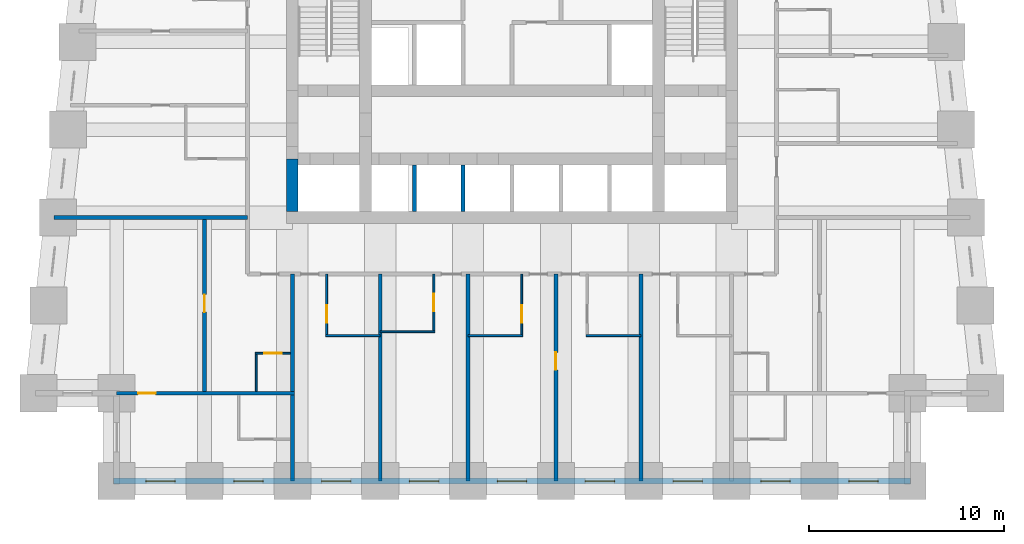
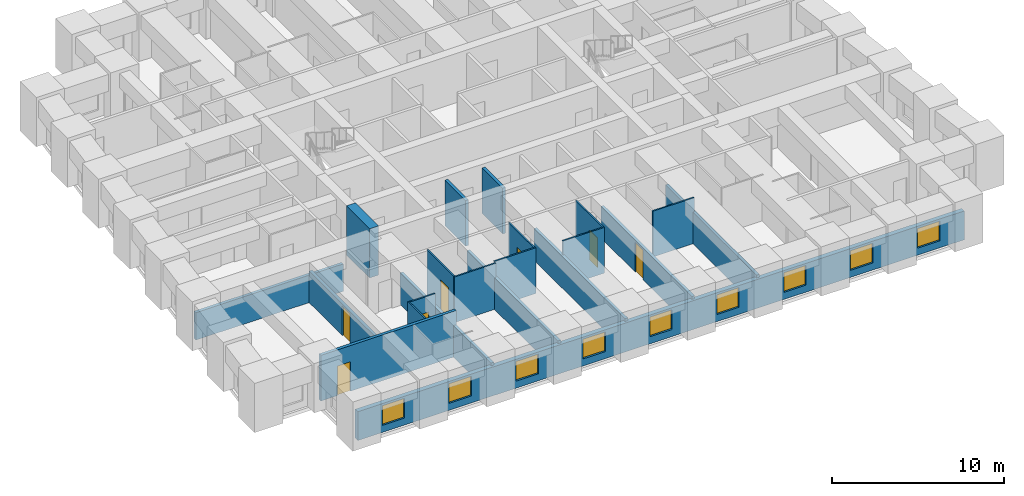
# One storey, part 2 of 8: 21 walls, 9 windows, 7 doors, 16 openings.
"""IFC4 building model written with IfcOpenShell, lengths in metres."""

from ifc_helpers import new_model, si_unit, direction, frame, frame_2d, origin, place, context, subcontext, project, spatial, rectangle, extrude, material, layer, layer_set, type_object, element, fill, save


model = new_model("IFC4")

# Units and contexts
model_context = context("Model", 3, precision=1e-05, world=origin(), true_north=direction((0.0, 1.0)))
body_context = subcontext(model_context, "Body", "Model", "MODEL_VIEW")
ifc_project = project(units=[si_unit("LENGTHUNIT", "METRE"), si_unit("AREAUNIT", "SQUARE_METRE"), si_unit("VOLUMEUNIT", "CUBIC_METRE"), si_unit("PLANEANGLEUNIT", "RADIAN"), si_unit("MASSUNIT", "GRAM", prefix="KILO")], contexts=[model_context])

# Site, building, storey
site_placement = place(None, origin())
site = spatial("IfcSite", under=ifc_project, at=site_placement, CompositionType="ELEMENT")
building_placement = place(site_placement, origin())
building = spatial("IfcBuilding", under=site, at=building_placement, Name="Kilele Tower Hotel", CompositionType="ELEMENT")
storey_placement = place(building_placement, frame((0.0, 0.0, 68.199951171875)))
storey = spatial("IfcBuildingStorey", under=building, at=storey_placement, Name="L16", CompositionType="ELEMENT", Elevation=68.199951171875)

# Wall
ifc_material_1 = material(Name="Moisture-resistant board")
ifc_layer_1 = layer(ifc_material_1, 0.10009765625)
ifc_layer_set_1 = layer_set([ifc_layer_1], Name="Moisture-resistant board")
wall_type_1 = type_object("IfcWallType", Name="Bathroom partition 100", PredefinedType="PLUMBINGWALL", material=ifc_layer_set_1)
wall_1_placement = place(storey_placement, frame((15.199951171875, 7.449951171875, 0.0), z_axis=(0.0, 0.0, 1.0), x_axis=(1.0, 0.0, 0.0)))
element("IfcWall", 1, at=wall_1_placement, inside=storey, type_object=wall_type_1, Name="Bathroom partition 100 L16", PredefinedType="PLUMBINGWALL", context=body_context, shape_type="SweptSolid", body=[
    extrude(rectangle(XDim=2.800048828125, YDim=0.10009765625, at=frame_2d((1.39990234375, 0.0))), origin(), (0.0, 0.0, 1.0), 3.25),
])

# Wall, opening, door
wall_2_placement = place(storey_placement, frame((15.25, 10.60009765625, 0.0), z_axis=(0.0, 0.0, 1.0), x_axis=(0.0, -1.0, 0.0)))
wall_2 = element("IfcWall", 2, at=wall_2_placement, inside=storey, type_object=wall_type_1, Name="Bathroom partition 100 L16", PredefinedType="PLUMBINGWALL", context=body_context, shape_type="SweptSolid", body=[
    extrude(rectangle(XDim=3.2001953125, YDim=0.10009765625, at=frame_2d((1.60009765625, 0.0))), origin(), (0.0, 0.0, 1.0), 3.25),
])
opening_1_placement = place(wall_2_placement, frame((2.5, 0.0, 0.0), z_axis=(0.0, 0.0, 1.0), x_axis=(-1.0, 0.0, 0.0)))
opening_1 = element("IfcOpeningElement", 3, at=opening_1_placement, cuts=wall_2, Name="Opening D2A", PredefinedType="OPENING", context=body_context, shape_type="SweptSolid", body=[
    extrude(rectangle(XDim=0.89990234375, YDim=2.10009765625, at=frame_2d((0.449951171875, 1.050048828125))), frame((0.0, 0.06005859375, 0.0), z_axis=(0.0, -1.0, 0.0), x_axis=(1.0, 0.0, 0.0)), (0.0, 0.0, 1.0), 0.1201171875),
])
ifc_material_2 = material(Name="Timber door leaf in hardwood frame", Category="wood")
door_type_1 = type_object("IfcDoorType", Name="Bathroom door 900", OperationType="SINGLE_SWING_LEFT", PredefinedType="DOOR", material=ifc_material_2)
door_1_placement = place(opening_1_placement, origin())
door_1 = element("IfcDoor", 4, at=door_1_placement, inside=storey, type_object=door_type_1, Name="Bathroom door 1601B", OperationType="SINGLE_SWING_LEFT", OverallHeight=2.10009765625, OverallWidth=0.89990234375, PredefinedType="DOOR", context=body_context, shape_type="SweptSolid", body=[
    extrude(rectangle(XDim=0.89990234375, YDim=2.10009765625, at=frame_2d((0.449951171875, 1.050048828125))), frame((0.0, 0.02490234375, 0.0), z_axis=(0.0, -1.0, 0.0), x_axis=(1.0, 0.0, 0.0)), (0.0, 0.0, 1.0), 0.050048828125),
])
fill(opening_1, door_1)

# Wall
wall_3_placement = place(storey_placement, frame((18.0, 7.64990234375, 0.0), z_axis=(0.0, 0.0, 1.0), x_axis=(1.0, 0.0, 0.0)))
element("IfcWall", 5, at=wall_3_placement, inside=storey, type_object=wall_type_1, Name="Bathroom partition 100 L16", PredefinedType="PLUMBINGWALL", context=body_context, shape_type="SweptSolid", body=[
    extrude(rectangle(XDim=2.800048828125, YDim=0.10009765625, at=frame_2d((1.39990234375, 0.0))), origin(), (0.0, 0.0, 1.0), 3.25),
])

# Wall, opening, door
wall_4_placement = place(storey_placement, frame((20.75, 10.60009765625, 0.0), z_axis=(0.0, 0.0, 1.0), x_axis=(0.0, -1.0, 0.0)))
wall_4 = element("IfcWall", 6, at=wall_4_placement, inside=storey, type_object=wall_type_1, Name="Bathroom partition 100 L16", PredefinedType="PLUMBINGWALL", context=body_context, shape_type="SweptSolid", body=[
    extrude(rectangle(XDim=3.0, YDim=0.10009765625, at=frame_2d((1.5, 0.0))), origin(), (0.0, 0.0, 1.0), 3.25),
])
opening_2_placement = place(wall_4_placement, frame((1.0, 0.0, 0.0)))
opening_2 = element("IfcOpeningElement", 7, at=opening_2_placement, cuts=wall_4, Name="Opening D2A", PredefinedType="OPENING", context=body_context, shape_type="SweptSolid", body=[
    extrude(rectangle(XDim=0.89990234375, YDim=2.10009765625, at=frame_2d((0.449951171875, 1.050048828125))), frame((0.0, 0.06005859375, 0.0), z_axis=(0.0, -1.0, 0.0), x_axis=(1.0, 0.0, 0.0)), (0.0, 0.0, 1.0), 0.1201171875),
])
door_2_placement = place(opening_2_placement, origin())
door_2 = element("IfcDoor", 8, at=door_2_placement, inside=storey, type_object=door_type_1, Name="Bathroom door 1602B", OperationType="SINGLE_SWING_LEFT", OverallHeight=2.10009765625, OverallWidth=0.89990234375, PredefinedType="DOOR", context=body_context, shape_type="SweptSolid", body=[
    extrude(rectangle(XDim=0.89990234375, YDim=2.10009765625, at=frame_2d((0.449951171875, 1.050048828125))), frame((0.0, 0.02490234375, 0.0), z_axis=(0.0, -1.0, 0.0), x_axis=(1.0, 0.0, 0.0)), (0.0, 0.0, 1.0), 0.050048828125),
])
fill(opening_2, door_2)

# Wall
wall_5_placement = place(storey_placement, frame((22.5, 7.449951171875, 0.0), z_axis=(0.0, 0.0, 1.0), x_axis=(1.0, 0.0, 0.0)))
element("IfcWall", 9, at=wall_5_placement, inside=storey, type_object=wall_type_1, Name="Bathroom partition 100 L16", PredefinedType="PLUMBINGWALL", context=body_context, shape_type="SweptSolid", body=[
    extrude(rectangle(XDim=2.800048828125, YDim=0.10009765625, at=frame_2d((1.39990234375, 0.0))), origin(), (0.0, 0.0, 1.0), 3.25),
])

# Wall, opening, door
wall_6_placement = place(storey_placement, frame((25.25, 10.60009765625, 0.0), z_axis=(0.0, 0.0, 1.0), x_axis=(0.0, -1.0, 0.0)))
wall_6 = element("IfcWall", 10, at=wall_6_placement, inside=storey, type_object=wall_type_1, Name="Bathroom partition 100 L16", PredefinedType="PLUMBINGWALL", context=body_context, shape_type="SweptSolid", body=[
    extrude(rectangle(XDim=3.2001953125, YDim=0.10009765625, at=frame_2d((1.60009765625, 0.0))), origin(), (0.0, 0.0, 1.0), 3.25),
])
opening_3_placement = place(wall_6_placement, frame((1.60009765625, 0.0, 0.0)))
opening_3 = element("IfcOpeningElement", 11, at=opening_3_placement, cuts=wall_6, Name="Opening D2A", PredefinedType="OPENING", context=body_context, shape_type="SweptSolid", body=[
    extrude(rectangle(XDim=0.89990234375, YDim=2.10009765625, at=frame_2d((0.449951171875, 1.050048828125))), frame((0.0, 0.06005859375, 0.0), z_axis=(0.0, -1.0, 0.0), x_axis=(1.0, 0.0, 0.0)), (0.0, 0.0, 1.0), 0.1201171875),
])
door_3_placement = place(opening_3_placement, origin())
door_3 = element("IfcDoor", 12, at=door_3_placement, inside=storey, type_object=door_type_1, Name="Bathroom door 1603B", OperationType="SINGLE_SWING_RIGHT", OverallHeight=2.10009765625, OverallWidth=0.89990234375, PredefinedType="DOOR", context=body_context, shape_type="SweptSolid", body=[
    extrude(rectangle(XDim=0.89990234375, YDim=2.10009765625, at=frame_2d((0.449951171875, 1.050048828125))), frame((0.0, 0.02490234375, 0.0), z_axis=(0.0, -1.0, 0.0), x_axis=(1.0, 0.0, 0.0)), (0.0, 0.0, 1.0), 0.050048828125),
])
fill(opening_3, door_3)

# Walls
wall_7_placement = place(storey_placement, frame((28.550048828125, 7.449951171875, 0.0), z_axis=(0.0, 0.0, 1.0), x_axis=(1.0, 0.0, 0.0)))
element("IfcWall", 13, at=wall_7_placement, inside=storey, type_object=wall_type_1, Name="Bathroom partition 100 L16", PredefinedType="PLUMBINGWALL", context=body_context, shape_type="SweptSolid", body=[
    extrude(rectangle(XDim=2.800048828125, YDim=0.10009765625, at=frame_2d((1.39990234375, 0.0))), origin(), (0.0, 0.0, 1.0), 3.25),
])
wall_8_placement = place(storey_placement, frame((11.64990234375, 4.60009765625, 0.0), z_axis=(0.0, 0.0, 1.0), x_axis=(0.0, 1.0, 0.0)))
element("IfcWall", 14, at=wall_8_placement, inside=storey, type_object=wall_type_1, Name="Bathroom partition 100 L16", PredefinedType="PLUMBINGWALL", context=body_context, shape_type="SweptSolid", body=[
    extrude(rectangle(XDim=2.0, YDim=0.10009765625, at=frame_2d((1.0, 0.0))), origin(), (0.0, 0.0, 1.0), 3.25),
])

# Wall, opening, door
wall_9_placement = place(storey_placement, frame((13.39990234375, 6.550048828125, 0.0), z_axis=(0.0, 0.0, 1.0), x_axis=(-1.0, 0.0, 0.0)))
wall_9 = element("IfcWall", 15, at=wall_9_placement, inside=storey, type_object=wall_type_1, Name="Bathroom partition 100 L16", PredefinedType="PLUMBINGWALL", context=body_context, shape_type="SweptSolid", body=[
    extrude(rectangle(XDim=1.7998046875, YDim=0.10009765625, at=frame_2d((0.89990234375, 0.0))), origin(), (0.0, 0.0, 1.0), 3.25),
])
opening_4_placement = place(wall_9_placement, frame((1.349853515625, 0.0, 0.0), z_axis=(0.0, 0.0, 1.0), x_axis=(-1.0, 0.0, 0.0)))
opening_4 = element("IfcOpeningElement", 16, at=opening_4_placement, cuts=wall_9, Name="Opening D2A", PredefinedType="OPENING", context=body_context, shape_type="SweptSolid", body=[
    extrude(rectangle(XDim=0.89990234375, YDim=2.10009765625, at=frame_2d((0.449951171875, 1.050048828125))), frame((0.0, 0.06005859375, 0.0), z_axis=(0.0, -1.0, 0.0), x_axis=(1.0, 0.0, 0.0)), (0.0, 0.0, 1.0), 0.1201171875),
])
door_4_placement = place(opening_4_placement, origin())
door_4 = element("IfcDoor", 17, at=door_4_placement, inside=storey, type_object=door_type_1, Name="Bathroom door 1617P", OperationType="SINGLE_SWING_RIGHT", OverallHeight=2.10009765625, OverallWidth=0.89990234375, PredefinedType="DOOR", context=body_context, shape_type="SweptSolid", body=[
    extrude(rectangle(XDim=0.89990234375, YDim=2.10009765625, at=frame_2d((0.449951171875, 1.050048828125))), frame((0.0, 0.02490234375, 0.0), z_axis=(0.0, -1.0, 0.0), x_axis=(1.0, 0.0, 0.0)), (0.0, 0.0, 1.0), 0.050048828125),
])
fill(opening_4, door_4)

# Wall
ifc_material_3 = material(Name="Concrete C60/75", Category="concrete")
ifc_layer_2 = layer(ifc_material_3, 0.60009765625)
ifc_layer_set_2 = layer_set([ifc_layer_2], Name="Concrete C60/75")
wall_type_2 = type_object("IfcWallType", Name="Core wall 600 C60/75", PredefinedType="SHEAR", material=ifc_layer_set_2)
wall_10_placement = place(storey_placement, frame((13.5, 16.5, 0.0), z_axis=(0.0, 0.0, 1.0), x_axis=(0.0, -1.0, 0.0)))
element("IfcWall", 18, at=wall_10_placement, inside=storey, type_object=wall_type_2, Name="Core wall W3 L16", PredefinedType="SHEAR", context=body_context, shape_type="SweptSolid", body=[
    extrude(rectangle(XDim=2.699951171875, YDim=0.60009765625, at=frame_2d((1.35009765625, 0.0))), origin(), (0.0, 0.0, 1.0), 3.5),
])

# Wall, opening, door
ifc_material_4 = material(Name="Blockwork, plastered both sides", Category="masonry")
ifc_layer_3 = layer(ifc_material_4, 0.199951171875)
ifc_layer_set_3 = layer_set([ifc_layer_3], Name="Blockwork, plastered both sides")
wall_type_3 = type_object("IfcWallType", Name="Partition wall 200", PredefinedType="PARTITIONING", material=ifc_layer_set_3)
wall_11_placement = place(storey_placement, frame((9.0, 4.60009765625, 0.0), z_axis=(0.0, 0.0, 1.0), x_axis=(0.0, 1.0, 0.0)))
wall_11 = element("IfcWall", 19, at=wall_11_placement, inside=storey, type_object=wall_type_3, Name="Partition wall 200 L16", PredefinedType="PARTITIONING", context=body_context, shape_type="SweptSolid", body=[
    extrude(rectangle(XDim=8.7998046875, YDim=0.199951171875, at=frame_2d((4.39990234375, 0.0))), origin(), (0.0, 0.0, 1.0), 2.25),
])
opening_5_placement = place(wall_11_placement, frame((4.050048828125, 0.0, 0.0)))
opening_5 = element("IfcOpeningElement", 20, at=opening_5_placement, cuts=wall_11, Name="Opening D3", PredefinedType="OPENING", context=body_context, shape_type="SweptSolid", body=[
    extrude(rectangle(XDim=0.89990234375, YDim=2.10009765625, at=frame_2d((0.449951171875, 1.050048828125))), frame((0.0, 0.10986328125, 0.0), z_axis=(0.0, -1.0, 0.0), x_axis=(1.0, 0.0, 0.0)), (0.0, 0.0, 1.0), 0.219970703125),
])
ifc_material_5 = material(Name="Timber door leaf in hardwood frame", Category="wood")
door_type_2 = type_object("IfcDoorType", Name="Suite internal door 900", OperationType="SINGLE_SWING_LEFT", PredefinedType="DOOR", material=ifc_material_5)
door_5_placement = place(opening_5_placement, origin())
door_5 = element("IfcDoor", 21, at=door_5_placement, inside=storey, type_object=door_type_2, Name="Suite door 1618", OperationType="SINGLE_SWING_RIGHT", OverallHeight=2.10009765625, OverallWidth=0.89990234375, PredefinedType="DOOR", context=body_context, shape_type="SweptSolid", body=[
    extrude(rectangle(XDim=0.89990234375, YDim=2.10009765625, at=frame_2d((0.449951171875, 1.050048828125))), frame((0.0, 0.02490234375, 0.0), z_axis=(0.0, -1.0, 0.0), x_axis=(1.0, 0.0, 0.0)), (0.0, 0.0, 1.0), 0.050048828125),
])
fill(opening_5, door_5)

# Walls
ifc_material_6 = material(Name="Blockwork, plastered both sides", Category="masonry")
ifc_layer_4 = layer(ifc_material_6, 0.199951171875)
ifc_layer_set_4 = layer_set([ifc_layer_4], Name="Blockwork, plastered both sides")
wall_type_4 = type_object("IfcWallType", Name="Party wall 200", PredefinedType="PARTITIONING", material=ifc_layer_set_4)
for number, where, z_axis, x_axis, name in (
    (22, (18.0, 10.60009765625, 0.0), (0.0, 0.0, 1.0), (0.0, -1.0, 0.0), "Party wall 200 L16"),
    (23, (22.5, 10.60009765625, 0.0), (0.0, 0.0, 1.0), (0.0, -1.0, 0.0), "Party wall 200 L16"),
):
    element("IfcWall", number, at=place(storey_placement, frame(where, z_axis=z_axis, x_axis=x_axis)), inside=storey, type_object=wall_type_4, Name=name, PredefinedType="PARTITIONING", context=body_context, shape_type="SweptSolid", body=[
        extrude(rectangle(XDim=10.60009765625, YDim=0.199951171875, at=frame_2d((5.300048828125, 0.0))), origin(), (0.0, 0.0, 1.0), 2.25),
    ])

# Wall, opening, door
wall_12_placement = place(storey_placement, frame((27.0, 10.60009765625, 0.0), z_axis=(0.0, 0.0, 1.0), x_axis=(0.0, -1.0, 0.0)))
wall_12 = element("IfcWall", 24, at=wall_12_placement, inside=storey, type_object=wall_type_4, Name="Party wall 200 L16", PredefinedType="PARTITIONING", context=body_context, shape_type="SweptSolid", body=[
    extrude(rectangle(XDim=10.60009765625, YDim=0.199951171875, at=frame_2d((5.300048828125, 0.0))), origin(), (0.0, 0.0, 1.0), 2.25),
])
opening_6_placement = place(wall_12_placement, frame((4.0, 0.0, 0.0)))
opening_6 = element("IfcOpeningElement", 25, at=opening_6_placement, cuts=wall_12, Name="Opening D3C", PredefinedType="OPENING", context=body_context, shape_type="SweptSolid", body=[
    extrude(rectangle(XDim=0.89990234375, YDim=2.10009765625, at=frame_2d((0.449951171875, 1.050048828125))), frame((0.0, 0.10986328125, 0.0), z_axis=(0.0, -1.0, 0.0), x_axis=(1.0, 0.0, 0.0)), (0.0, 0.0, 1.0), 0.219970703125),
])
ifc_material_7 = material(Name="Timber door leaf in hardwood frame", Category="wood")
door_type_3 = type_object("IfcDoorType", Name="Connecting door 900", OperationType="SINGLE_SWING_LEFT", PredefinedType="DOOR", material=ifc_material_7)
door_6_placement = place(opening_6_placement, origin())
door_6 = element("IfcDoor", 26, at=door_6_placement, inside=storey, type_object=door_type_3, Name="Connecting door 1604", OperationType="SINGLE_SWING_LEFT", OverallHeight=2.10009765625, OverallWidth=0.89990234375, PredefinedType="DOOR", context=body_context, shape_type="SweptSolid", body=[
    extrude(rectangle(XDim=0.89990234375, YDim=2.10009765625, at=frame_2d((0.449951171875, 1.050048828125))), frame((0.0, 0.02490234375, 0.0), z_axis=(0.0, -1.0, 0.0), x_axis=(1.0, 0.0, 0.0)), (0.0, 0.0, 1.0), 0.050048828125),
])
fill(opening_6, door_6)

# Walls
wall_13_placement = place(storey_placement, frame((31.35009765625, 10.60009765625, 0.0), z_axis=(0.0, 0.0, 1.0), x_axis=(0.0, -1.0, 0.0)))
element("IfcWall", 27, at=wall_13_placement, inside=storey, type_object=wall_type_4, Name="Party wall 200 L16", PredefinedType="PARTITIONING", context=body_context, shape_type="SweptSolid", body=[
    extrude(rectangle(XDim=10.60009765625, YDim=0.199951171875, at=frame_2d((5.300048828125, 0.0))), origin(), (0.0, 0.0, 1.0), 2.25),
])
wall_14_placement = place(storey_placement, frame((11.199951171875, 13.5, 0.0), z_axis=(0.0, 0.0, 1.0), x_axis=(-1.0, 0.0, 0.0)))
element("IfcWall", 28, at=wall_14_placement, inside=storey, type_object=wall_type_4, Name="Party wall 200 L16", PredefinedType="PARTITIONING", context=body_context, shape_type="SweptSolid", body=[
    extrude(rectangle(XDim=9.921142578125, YDim=0.199951171875, at=frame_2d((4.96044921875, 0.0))), origin(), (0.0, 0.0, 1.0), 1.949951171875),
])
wall_15_placement = place(storey_placement, frame((13.5, 10.60009765625, 0.0), z_axis=(0.0, 0.0, 1.0), x_axis=(0.0, -1.0, 0.0)))
element("IfcWall", 29, at=wall_15_placement, inside=storey, type_object=wall_type_4, Name="Party wall 200 L16", PredefinedType="PARTITIONING", context=body_context, shape_type="SweptSolid", body=[
    extrude(rectangle(XDim=10.60009765625, YDim=0.199951171875, at=frame_2d((5.300048828125, 0.0))), origin(), (0.0, 0.0, 1.0), 2.25),
])

# Wall, opening, door
wall_16_placement = place(storey_placement, frame((13.60009765625, 4.5, 0.0), z_axis=(0.0, 0.0, 1.0), x_axis=(-1.0, 0.0, 0.0)))
wall_16 = element("IfcWall", 30, at=wall_16_placement, inside=storey, type_object=wall_type_4, Name="Party wall 200 L16", PredefinedType="PARTITIONING", context=body_context, shape_type="SweptSolid", body=[
    extrude(rectangle(XDim=9.10009765625, YDim=0.199951171875, at=frame_2d((4.550048828125, 0.0))), origin(), (0.0, 0.0, 1.0), 3.25),
])
opening_7_placement = place(wall_16_placement, frame((7.10009765625, 0.0, 0.0)))
opening_7 = element("IfcOpeningElement", 31, at=opening_7_placement, cuts=wall_16, Name="Opening D3", PredefinedType="OPENING", context=body_context, shape_type="SweptSolid", body=[
    extrude(rectangle(XDim=0.89990234375, YDim=2.10009765625, at=frame_2d((0.449951171875, 1.050048828125))), frame((0.0, 0.10986328125, 0.0), z_axis=(0.0, -1.0, 0.0), x_axis=(1.0, 0.0, 0.0)), (0.0, 0.0, 1.0), 0.219970703125),
])
door_7_placement = place(opening_7_placement, origin())
door_7 = element("IfcDoor", 32, at=door_7_placement, inside=storey, type_object=door_type_2, Name="Suite door 1619", OperationType="SINGLE_SWING_RIGHT", OverallHeight=2.10009765625, OverallWidth=0.89990234375, PredefinedType="DOOR", context=body_context, shape_type="SweptSolid", body=[
    extrude(rectangle(XDim=0.89990234375, YDim=2.10009765625, at=frame_2d((0.449951171875, 1.050048828125))), frame((0.0, 0.02490234375, 0.0), z_axis=(0.0, -1.0, 0.0), x_axis=(1.0, 0.0, 0.0)), (0.0, 0.0, 1.0), 0.050048828125),
])
fill(opening_7, door_7)

# Wall, openings, windows
ifc_material_8 = material(Name="Concrete C40/50 precast", Category="concrete")
ifc_layer_5 = layer(ifc_material_8, 0.260009765625, Name="Precast backing", Category="LoadBearing")
ifc_material_9 = material(Name="Reconstituted stone finish", Category="masonry")
ifc_layer_6 = layer(ifc_material_9, 0.0400390625, Name="Face mix", Category="Finish")
ifc_layer_set_5 = layer_set([ifc_layer_5, ifc_layer_6], Name="Precast concrete C40/50, reconstituted stone finish")
wall_type_5 = type_object("IfcWallType", Name="Precast stone facade wall 300", PredefinedType="STANDARD", material=ifc_layer_set_5)
wall_17_placement = place(storey_placement, frame((4.35009765625, 0.0, 0.0), z_axis=(0.0, 0.0, 1.0), x_axis=(1.0, 0.0, 0.0)))
wall_17 = element("IfcWall", 33, at=wall_17_placement, inside=storey, type_object=wall_type_5, Name="Facade wall L16 edge 3", PredefinedType="STANDARD", context=body_context, shape_type="SweptSolid", body=[
    extrude(rectangle(XDim=40.7998046875, YDim=0.300048828125, at=frame_2d((20.39990234375, 0.0))), origin(), (0.0, 0.0, 1.0), 2.050048828125),
])
opening_8_placement = place(wall_17_placement, frame((1.64990234375, 0.0, 0.5)))
opening_8 = element("IfcOpeningElement", 34, at=opening_8_placement, cuts=wall_17, Name="Opening W1", PredefinedType="OPENING", context=body_context, shape_type="SweptSolid", body=[
    extrude(rectangle(XDim=1.5, YDim=1.39990234375, at=frame_2d((0.75, 0.699951171875))), frame((0.0, 0.159912109375, 0.0), z_axis=(0.0, -1.0, 0.0), x_axis=(1.0, 0.0, 0.0)), (0.0, 0.0, 1.0), 0.320068359375),
])
opening_9_placement = place(wall_17_placement, frame((6.14990234375, 0.0, 0.5)))
opening_9 = element("IfcOpeningElement", 35, at=opening_9_placement, cuts=wall_17, Name="Opening W1", PredefinedType="OPENING", context=body_context, shape_type="SweptSolid", body=[
    extrude(rectangle(XDim=1.5, YDim=1.39990234375, at=frame_2d((0.75, 0.699951171875))), frame((0.0, 0.159912109375, 0.0), z_axis=(0.0, -1.0, 0.0), x_axis=(1.0, 0.0, 0.0)), (0.0, 0.0, 1.0), 0.320068359375),
])
opening_10_placement = place(wall_17_placement, frame((10.64990234375, 0.0, 0.5)))
opening_10 = element("IfcOpeningElement", 36, at=opening_10_placement, cuts=wall_17, Name="Opening W1", PredefinedType="OPENING", context=body_context, shape_type="SweptSolid", body=[
    extrude(rectangle(XDim=1.5, YDim=1.39990234375, at=frame_2d((0.75, 0.699951171875))), frame((0.0, 0.159912109375, 0.0), z_axis=(0.0, -1.0, 0.0), x_axis=(1.0, 0.0, 0.0)), (0.0, 0.0, 1.0), 0.320068359375),
])
opening_11_placement = place(wall_17_placement, frame((15.14990234375, 0.0, 0.5)))
opening_11 = element("IfcOpeningElement", 37, at=opening_11_placement, cuts=wall_17, Name="Opening W1", PredefinedType="OPENING", context=body_context, shape_type="SweptSolid", body=[
    extrude(rectangle(XDim=1.5, YDim=1.39990234375, at=frame_2d((0.75, 0.699951171875))), frame((0.0, 0.159912109375, 0.0), z_axis=(0.0, -1.0, 0.0), x_axis=(1.0, 0.0, 0.0)), (0.0, 0.0, 1.0), 0.320068359375),
])
opening_12_placement = place(wall_17_placement, frame((19.64990234375, 0.0, 0.5)))
opening_12 = element("IfcOpeningElement", 38, at=opening_12_placement, cuts=wall_17, Name="Opening W1", PredefinedType="OPENING", context=body_context, shape_type="SweptSolid", body=[
    extrude(rectangle(XDim=1.5, YDim=1.39990234375, at=frame_2d((0.75, 0.699951171875))), frame((0.0, 0.159912109375, 0.0), z_axis=(0.0, -1.0, 0.0), x_axis=(1.0, 0.0, 0.0)), (0.0, 0.0, 1.0), 0.320068359375),
])
opening_13_placement = place(wall_17_placement, frame((24.14990234375, 0.0, 0.5)))
opening_13 = element("IfcOpeningElement", 39, at=opening_13_placement, cuts=wall_17, Name="Opening W1", PredefinedType="OPENING", context=body_context, shape_type="SweptSolid", body=[
    extrude(rectangle(XDim=1.5, YDim=1.39990234375, at=frame_2d((0.75, 0.699951171875))), frame((0.0, 0.159912109375, 0.0), z_axis=(0.0, -1.0, 0.0), x_axis=(1.0, 0.0, 0.0)), (0.0, 0.0, 1.0), 0.320068359375),
])
opening_14_placement = place(wall_17_placement, frame((28.64990234375, 0.0, 0.5)))
opening_14 = element("IfcOpeningElement", 40, at=opening_14_placement, cuts=wall_17, Name="Opening W1", PredefinedType="OPENING", context=body_context, shape_type="SweptSolid", body=[
    extrude(rectangle(XDim=1.5, YDim=1.39990234375, at=frame_2d((0.75, 0.699951171875))), frame((0.0, 0.159912109375, 0.0), z_axis=(0.0, -1.0, 0.0), x_axis=(1.0, 0.0, 0.0)), (0.0, 0.0, 1.0), 0.320068359375),
])
opening_15_placement = place(wall_17_placement, frame((33.14990234375, 0.0, 0.5)))
opening_15 = element("IfcOpeningElement", 41, at=opening_15_placement, cuts=wall_17, Name="Opening W1", PredefinedType="OPENING", context=body_context, shape_type="SweptSolid", body=[
    extrude(rectangle(XDim=1.5, YDim=1.39990234375, at=frame_2d((0.75, 0.699951171875))), frame((0.0, 0.159912109375, 0.0), z_axis=(0.0, -1.0, 0.0), x_axis=(1.0, 0.0, 0.0)), (0.0, 0.0, 1.0), 0.320068359375),
])
opening_16_placement = place(wall_17_placement, frame((37.64990234375, 0.0, 0.5)))
opening_16 = element("IfcOpeningElement", 42, at=opening_16_placement, cuts=wall_17, Name="Opening W1", PredefinedType="OPENING", context=body_context, shape_type="SweptSolid", body=[
    extrude(rectangle(XDim=1.5, YDim=1.39990234375, at=frame_2d((0.75, 0.699951171875))), frame((0.0, 0.159912109375, 0.0), z_axis=(0.0, -1.0, 0.0), x_axis=(1.0, 0.0, 0.0)), (0.0, 0.0, 1.0), 0.320068359375),
])
ifc_material_10 = material(Name="Aluminium frame, clear double glazing", Category="aluminium")
window_type = type_object("IfcWindowType", Name="Window W1 1500 x 1400", PartitioningType="SINGLE_PANEL", PredefinedType="WINDOW", material=ifc_material_10)
window_1_placement = place(opening_8_placement, origin())
window_1 = element("IfcWindow", 43, at=window_1_placement, inside=storey, type_object=window_type, Name="Window L16", OverallHeight=1.39990234375, OverallWidth=1.5, PartitioningType="SINGLE_PANEL", PredefinedType="WINDOW", context=body_context, shape_type="SweptSolid", body=[
    extrude(rectangle(XDim=1.5, YDim=1.39990234375, at=frame_2d((0.75, 0.699951171875))), frame((0.0, 0.030029296875, 0.0), z_axis=(0.0, -1.0, 0.0), x_axis=(1.0, 0.0, 0.0)), (0.0, 0.0, 1.0), 0.06005859375),
])
fill(opening_8, window_1)
window_2_placement = place(opening_9_placement, origin())
window_2 = element("IfcWindow", 44, at=window_2_placement, inside=storey, type_object=window_type, Name="Window L16", OverallHeight=1.39990234375, OverallWidth=1.5, PartitioningType="SINGLE_PANEL", PredefinedType="WINDOW", context=body_context, shape_type="SweptSolid", body=[
    extrude(rectangle(XDim=1.5, YDim=1.39990234375, at=frame_2d((0.75, 0.699951171875))), frame((0.0, 0.030029296875, 0.0), z_axis=(0.0, -1.0, 0.0), x_axis=(1.0, 0.0, 0.0)), (0.0, 0.0, 1.0), 0.06005859375),
])
fill(opening_9, window_2)
window_3_placement = place(opening_10_placement, origin())
window_3 = element("IfcWindow", 45, at=window_3_placement, inside=storey, type_object=window_type, Name="Window L16", OverallHeight=1.39990234375, OverallWidth=1.5, PartitioningType="SINGLE_PANEL", PredefinedType="WINDOW", context=body_context, shape_type="SweptSolid", body=[
    extrude(rectangle(XDim=1.5, YDim=1.39990234375, at=frame_2d((0.75, 0.699951171875))), frame((0.0, 0.030029296875, 0.0), z_axis=(0.0, -1.0, 0.0), x_axis=(1.0, 0.0, 0.0)), (0.0, 0.0, 1.0), 0.06005859375),
])
fill(opening_10, window_3)
window_4_placement = place(opening_11_placement, origin())
window_4 = element("IfcWindow", 46, at=window_4_placement, inside=storey, type_object=window_type, Name="Window L16", OverallHeight=1.39990234375, OverallWidth=1.5, PartitioningType="SINGLE_PANEL", PredefinedType="WINDOW", context=body_context, shape_type="SweptSolid", body=[
    extrude(rectangle(XDim=1.5, YDim=1.39990234375, at=frame_2d((0.75, 0.699951171875))), frame((0.0, 0.030029296875, 0.0), z_axis=(0.0, -1.0, 0.0), x_axis=(1.0, 0.0, 0.0)), (0.0, 0.0, 1.0), 0.06005859375),
])
fill(opening_11, window_4)
window_5_placement = place(opening_12_placement, origin())
window_5 = element("IfcWindow", 47, at=window_5_placement, inside=storey, type_object=window_type, Name="Window L16", OverallHeight=1.39990234375, OverallWidth=1.5, PartitioningType="SINGLE_PANEL", PredefinedType="WINDOW", context=body_context, shape_type="SweptSolid", body=[
    extrude(rectangle(XDim=1.5, YDim=1.39990234375, at=frame_2d((0.75, 0.699951171875))), frame((0.0, 0.030029296875, 0.0), z_axis=(0.0, -1.0, 0.0), x_axis=(1.0, 0.0, 0.0)), (0.0, 0.0, 1.0), 0.06005859375),
])
fill(opening_12, window_5)
window_6_placement = place(opening_13_placement, origin())
window_6 = element("IfcWindow", 48, at=window_6_placement, inside=storey, type_object=window_type, Name="Window L16", OverallHeight=1.39990234375, OverallWidth=1.5, PartitioningType="SINGLE_PANEL", PredefinedType="WINDOW", context=body_context, shape_type="SweptSolid", body=[
    extrude(rectangle(XDim=1.5, YDim=1.39990234375, at=frame_2d((0.75, 0.699951171875))), frame((0.0, 0.030029296875, 0.0), z_axis=(0.0, -1.0, 0.0), x_axis=(1.0, 0.0, 0.0)), (0.0, 0.0, 1.0), 0.06005859375),
])
fill(opening_13, window_6)
window_7_placement = place(opening_14_placement, origin())
window_7 = element("IfcWindow", 49, at=window_7_placement, inside=storey, type_object=window_type, Name="Window L16", OverallHeight=1.39990234375, OverallWidth=1.5, PartitioningType="SINGLE_PANEL", PredefinedType="WINDOW", context=body_context, shape_type="SweptSolid", body=[
    extrude(rectangle(XDim=1.5, YDim=1.39990234375, at=frame_2d((0.75, 0.699951171875))), frame((0.0, 0.030029296875, 0.0), z_axis=(0.0, -1.0, 0.0), x_axis=(1.0, 0.0, 0.0)), (0.0, 0.0, 1.0), 0.06005859375),
])
fill(opening_14, window_7)
window_8_placement = place(opening_15_placement, origin())
window_8 = element("IfcWindow", 50, at=window_8_placement, inside=storey, type_object=window_type, Name="Window L16", OverallHeight=1.39990234375, OverallWidth=1.5, PartitioningType="SINGLE_PANEL", PredefinedType="WINDOW", context=body_context, shape_type="SweptSolid", body=[
    extrude(rectangle(XDim=1.5, YDim=1.39990234375, at=frame_2d((0.75, 0.699951171875))), frame((0.0, 0.030029296875, 0.0), z_axis=(0.0, -1.0, 0.0), x_axis=(1.0, 0.0, 0.0)), (0.0, 0.0, 1.0), 0.06005859375),
])
fill(opening_15, window_8)
window_9_placement = place(opening_16_placement, origin())
window_9 = element("IfcWindow", 51, at=window_9_placement, inside=storey, type_object=window_type, Name="Window L16", OverallHeight=1.39990234375, OverallWidth=1.5, PartitioningType="SINGLE_PANEL", PredefinedType="WINDOW", context=body_context, shape_type="SweptSolid", body=[
    extrude(rectangle(XDim=1.5, YDim=1.39990234375, at=frame_2d((0.75, 0.699951171875))), frame((0.0, 0.030029296875, 0.0), z_axis=(0.0, -1.0, 0.0), x_axis=(1.0, 0.0, 0.0)), (0.0, 0.0, 1.0), 0.06005859375),
])
fill(opening_16, window_9)

# Walls
ifc_material_11 = material(Name="Blockwork, fire-rated", Category="masonry")
ifc_layer_7 = layer(ifc_material_11, 0.199951171875)
ifc_layer_set_6 = layer_set([ifc_layer_7], Name="Blockwork, fire-rated")
wall_type_6 = type_object("IfcWallType", Name="Shaft wall 200", PredefinedType="PARTITIONING", material=ifc_layer_set_6)
for number, where, z_axis, x_axis, name in (
    (52, (19.75, 13.800048828125, 0.0), (0.0, 0.0, 1.0), (0.0, 1.0, 0.0), "Shaft wall 200 L16"),
    (53, (22.25, 13.800048828125, 0.0), (0.0, 0.0, 1.0), (0.0, 1.0, 0.0), "Shaft wall 200 L16"),
):
    element("IfcWall", number, at=place(storey_placement, frame(where, z_axis=z_axis, x_axis=x_axis)), inside=storey, type_object=wall_type_6, Name=name, PredefinedType="PARTITIONING", context=body_context, shape_type="SweptSolid", body=[
        extrude(rectangle(XDim=2.39990234375, YDim=0.199951171875, at=frame_2d((1.199951171875, 0.0))), origin(), (0.0, 0.0, 1.0), 3.25),
    ])

save(model, "model.ifc")
